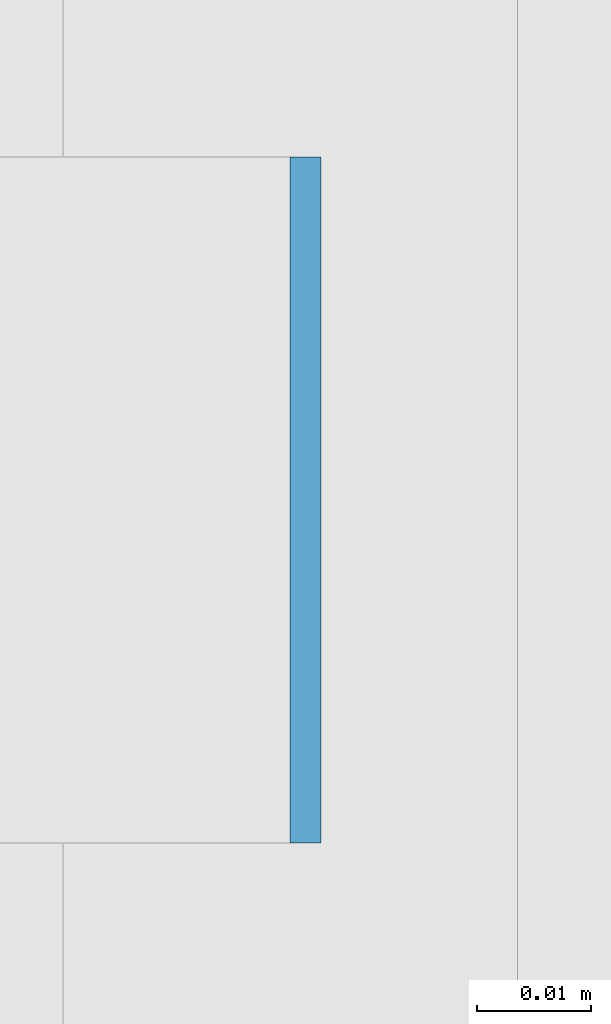
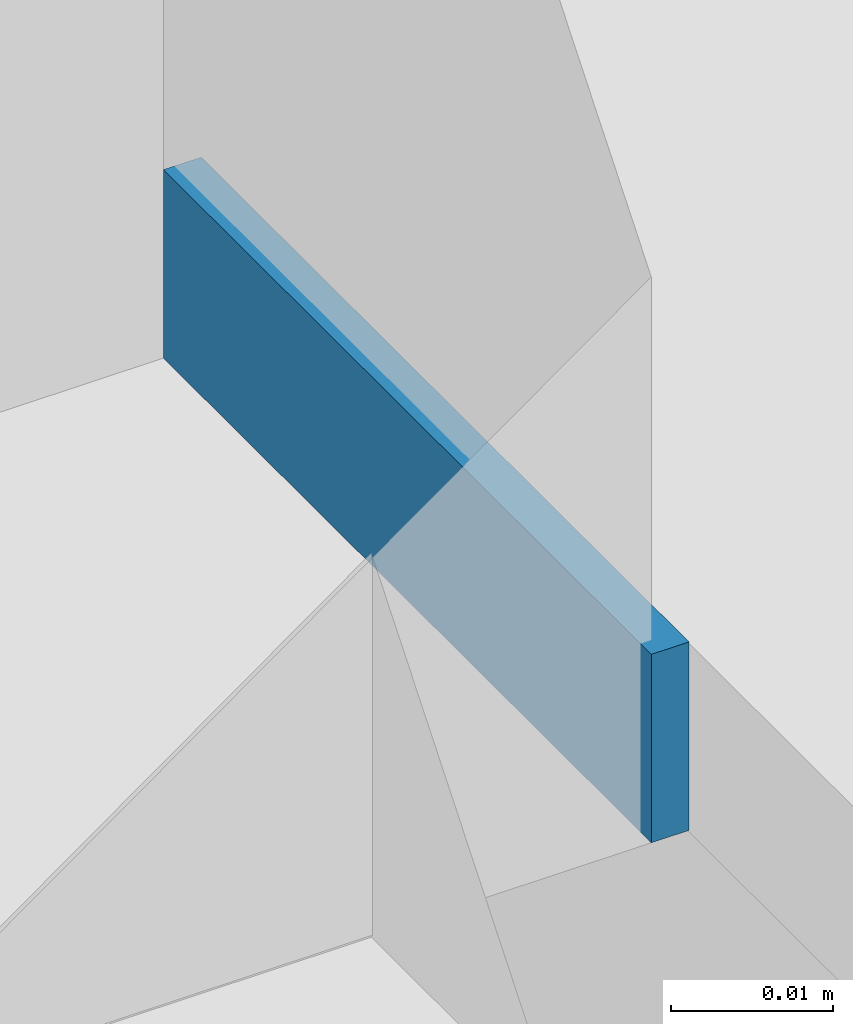
# One storey, part 304 of 646: 1 discrete accessory.
"""IFC4 building model written with IfcOpenShell, lengths in metres."""

import ifcopenshell
import ifcopenshell.guid

model = None  # the IFC model being written
_history = None  # IfcOwnerHistory: only IFC2X3 demands one
_inside = {}  # id of a spatial element -> (the spatial element, [elements in it])
_under = {}  # id of a project, library or spatial element -> (it, [spatial elements below it])
_declared = {}  # id of a project -> (the project, [libraries it declares])
_typed = {}  # id of a type object -> (the type object, [elements of that type])
_made_of = {}  # id of a material, layer set ... -> (it, [elements and type objects made of it])


def new_model(schema):
    """Start an empty IFC model of exactly this schema.

    Asked for "IFC4X3", IfcOpenShell would pick the latest addendum, in which some entities
    have other attributes; the version numbers below select the first issue.
    IFC2X3 requires an IfcOwnerHistory on every rooted entity: one is made here for all.
    """
    global model, _history
    if schema == "IFC4X3":
        model = ifcopenshell.file(schema_version=(4, 3, 0, 0))
    else:
        model = ifcopenshell.file(schema=schema)
    _inside.clear()
    _under.clear()
    _declared.clear()
    _typed.clear()
    _made_of.clear()
    _history = None
    if model.schema == "IFC2X3":
        org = make("IfcOrganization", Name="unknown")
        user = make(
            "IfcPersonAndOrganization",
            ThePerson=make("IfcPerson", FamilyName="unknown"),
            TheOrganization=org,
        )
        app = make(
            "IfcApplication",
            ApplicationDeveloper=org,
            Version="unknown",
            ApplicationFullName="unknown",
            ApplicationIdentifier="unknown",
        )
        _history = make(
            "IfcOwnerHistory",
            OwningUser=user,
            OwningApplication=app,
            ChangeAction="ADDED",
            CreationDate=0,
        )
    return model


def make(cls, **values):
    """One entity of the class cls with the attributes given. An attribute that is None is left unset."""
    return model.create_entity(
        cls, **{name: value for name, value in values.items() if value is not None}
    )


def rooted(cls, **values):
    """An entity with a GlobalId (a new one), such as an element, a storey or a relation."""
    return make(cls, GlobalId=ifcopenshell.guid.new(), OwnerHistory=_history, **values)


def si_unit(unit_type, name, prefix=None):
    """IfcSIUnit, for example si_unit("LENGTHUNIT", "METRE", prefix="MILLI")."""
    return make("IfcSIUnit", UnitType=unit_type, Prefix=prefix, Name=name)


def assignment(units):
    """IfcUnitAssignment: the units of a project."""
    return None if units is None else make("IfcUnitAssignment", Units=units)


def point(xyz):
    """IfcCartesianPoint."""
    return None if xyz is None else make("IfcCartesianPoint", Coordinates=xyz)


def direction(xyz):
    """IfcDirection."""
    return None if xyz is None else make("IfcDirection", DirectionRatios=xyz)


def frame(location, z_axis=None, x_axis=None):
    """IfcAxis2Placement3D, a coordinate frame: its origin and axes. An axis left out is left unset."""
    return make(
        "IfcAxis2Placement3D",
        Location=point(location),
        Axis=direction(z_axis),
        RefDirection=direction(x_axis),
    )


def frame_2d(location, x_axis=None):
    """IfcAxis2Placement2D, a coordinate frame in the plane: its origin and x axis."""
    return make(
        "IfcAxis2Placement2D", Location=point(location), RefDirection=direction(x_axis)
    )


def origin():
    """The frame at (0, 0, 0) with its axes left unset."""
    return frame((0.0, 0.0, 0.0))


def origin_2d():
    """The frame at (0, 0) in the plane with its x axis left unset."""
    return frame_2d((0.0, 0.0))


def place(relative_to, where):
    """IfcLocalPlacement: puts the frame where relative to a parent placement (None: the world)."""
    return make(
        "IfcLocalPlacement", PlacementRelTo=relative_to, RelativePlacement=where
    )


def context(
    kind, dimensions, precision=None, world=None, true_north=None, identifier=None
):
    """IfcGeometricRepresentationContext, for example the 3D "Model" context."""
    return make(
        "IfcGeometricRepresentationContext",
        ContextIdentifier=identifier,
        ContextType=kind,
        CoordinateSpaceDimension=dimensions,
        Precision=precision,
        WorldCoordinateSystem=world,
        TrueNorth=true_north,
    )


def subcontext(parent, identifier, kind, view, scale=None):
    """IfcGeometricRepresentationSubContext, for example "Body" below "Model"."""
    return make(
        "IfcGeometricRepresentationSubContext",
        ContextIdentifier=identifier,
        ContextType=kind,
        ParentContext=parent,
        TargetScale=scale,
        TargetView=view,
    )


def project(units=None, contexts=None):
    """IfcProject with its units and contexts."""
    return rooted(
        "IfcProject",
        Name="project",
        RepresentationContexts=contexts,
        UnitsInContext=assignment(units),
    )


def spatial(cls, under=None, at=None, **own):
    """A site, building, storey or space (cls), placed at a placement, below another one or the project."""
    s = rooted(cls, ObjectPlacement=at, **own)
    if under is not None:
        _under.setdefault(under.id(), (under, []))[1].append(s)
    return s


def profile(cls, at=None, kind="AREA", **sizes):
    """A parametric profile (cls). Its sizes go by their IFC names, for example OverallWidth=200.0."""
    return make(cls, ProfileType=kind, Position=at, **sizes)


def rectangle(**sizes):
    """IfcRectangleProfileDef."""
    return profile("IfcRectangleProfileDef", **sizes)


def extrude(swept, where, along, depth):
    """IfcExtrudedAreaSolid: the profile swept, set in the frame where, extruded along a direction by depth."""
    return make(
        "IfcExtrudedAreaSolid",
        SweptArea=swept,
        Position=where,
        ExtrudedDirection=direction(along),
        Depth=depth,
    )


def shape(context_of_items, identifier, shape_type, items):
    """IfcShapeRepresentation: the items that make up one representation, for example the "Body"."""
    return make(
        "IfcShapeRepresentation",
        ContextOfItems=context_of_items,
        RepresentationIdentifier=identifier,
        RepresentationType=shape_type,
        Items=items,
    )


def material(Name=None, Category=None):
    """IfcMaterial."""
    return make("IfcMaterial", Name=Name, Category=Category)


def made_of(thing, what):
    """Note that an element or type object is made of a material, layer set ...; save() writes the relation."""
    if what is not None:
        _made_of.setdefault(what.id(), (what, []))[1].append(thing)
    return thing


def type_object(cls, material=None, **own):
    """A type object (cls), such as IfcWallType, which elements share."""
    return made_of(rooted(cls, **own), material)


def element(
    cls,
    number,
    at=None,
    inside=None,
    cuts=None,
    type_object=None,
    material=None,
    context=None,
    identifier="Body",
    shape_type=None,
    held_by="IfcProductDefinitionShape",
    body=None,
    shapes=None,
    **own,
):
    """One element of the class cls, such as IfcWall. Its Tag is "e" and its number.

    at: its placement. inside: the storey or other place that contains it. cuts: it is an
    opening in that element (IfcRelVoidsElement). A single representation is given by context,
    identifier, shape_type and body (its items); several are given by shapes. held_by: the class
    of the entity that holds the representations. save() writes the other relations.
    """
    e = rooted(cls, Tag="e%d" % number, ObjectPlacement=at, **own)
    if body is not None:
        shapes = [shape(context, identifier, shape_type, body)]
    if shapes is not None:
        e.Representation = make(held_by, Representations=shapes)
    if inside is not None:
        _inside.setdefault(inside.id(), (inside, []))[1].append(e)
    if cuts is not None:
        rooted(
            "IfcRelVoidsElement", RelatingBuildingElement=cuts, RelatedOpeningElement=e
        )
    if type_object is not None:
        _typed.setdefault(type_object.id(), (type_object, []))[1].append(e)
    return made_of(e, material)


def aggregate(whole, parts):
    """IfcRelAggregates: a whole, such as a stair, and the parts it consists of."""
    return rooted("IfcRelAggregates", RelatingObject=whole, RelatedObjects=parts)


def save(model, path):
    """Write the relations noted so far, then the file.

    IfcRelAggregates (storeys below a building ...), IfcRelContainedInSpatialStructure (elements
    in a storey), IfcRelDefinesByType, IfcRelAssociatesMaterial and IfcRelDeclares: one each for
    every whole, place, type object, material and project.
    """
    for whole, parts in _under.values():
        aggregate(whole, parts)
    for where, things in _inside.values():
        rooted(
            "IfcRelContainedInSpatialStructure",
            RelatedElements=things,
            RelatingStructure=where,
        )
    for kind, things in _typed.values():
        rooted("IfcRelDefinesByType", RelatedObjects=things, RelatingType=kind)
    for what, things in _made_of.values():
        rooted("IfcRelAssociatesMaterial", RelatedObjects=things, RelatingMaterial=what)
    for by, libraries in _declared.values():
        rooted("IfcRelDeclares", RelatingContext=by, RelatedDefinitions=libraries)
    model.write(path)


model = new_model("IFC4")

# Units and contexts
model_context = context("Model", 3, precision=1e-05, world=origin(), true_north=direction((0.0, 1.0)))
body_context = subcontext(model_context, "Body", "Model", "MODEL_VIEW")
ifc_project = project(units=[si_unit("LENGTHUNIT", "METRE"), si_unit("AREAUNIT", "SQUARE_METRE"), si_unit("VOLUMEUNIT", "CUBIC_METRE"), si_unit("PLANEANGLEUNIT", "RADIAN"), si_unit("MASSUNIT", "GRAM", prefix="KILO")], contexts=[model_context])

# Site, building, storey
site_placement = place(None, origin())
site = spatial("IfcSite", under=ifc_project, at=site_placement, CompositionType="ELEMENT")
building_placement = place(site_placement, origin())
building = spatial("IfcBuilding", under=site, at=building_placement, Name="Silverbay Arena", CompositionType="ELEMENT")
storey_placement = place(building_placement, frame((0.0, 0.0, 33.5)))
storey = spatial("IfcBuildingStorey", under=building, at=storey_placement, Name="L05", CompositionType="ELEMENT", Elevation=33.5)

# Discrete accessory
ifc_material = material(Name="Steel S355", Category="steel")
discrete_accessory_type = type_object("IfcDiscreteAccessoryType", Name="Steel bracket plate", PredefinedType="BRACKET", material=ifc_material)
discrete_accessory_placement = place(storey_placement, frame((53.871337890625, 64.28564453125, 4.0), z_axis=(0.0, 0.0, 1.0), x_axis=(1.0, 0.0, 0.0)))
element("IfcDiscreteAccessory", 1, at=discrete_accessory_placement, inside=storey, type_object=discrete_accessory_type, Name="Curtain wall packing plate", PredefinedType="BRACKET", context=body_context, shape_type="SweptSolid", body=[
    extrude(rectangle(XDim=0.002685546875, YDim=0.06005859375, at=origin_2d()), origin(), (0.0, 0.0, 1.0), 0.01416015625),
])

save(model, "model.ifc")
